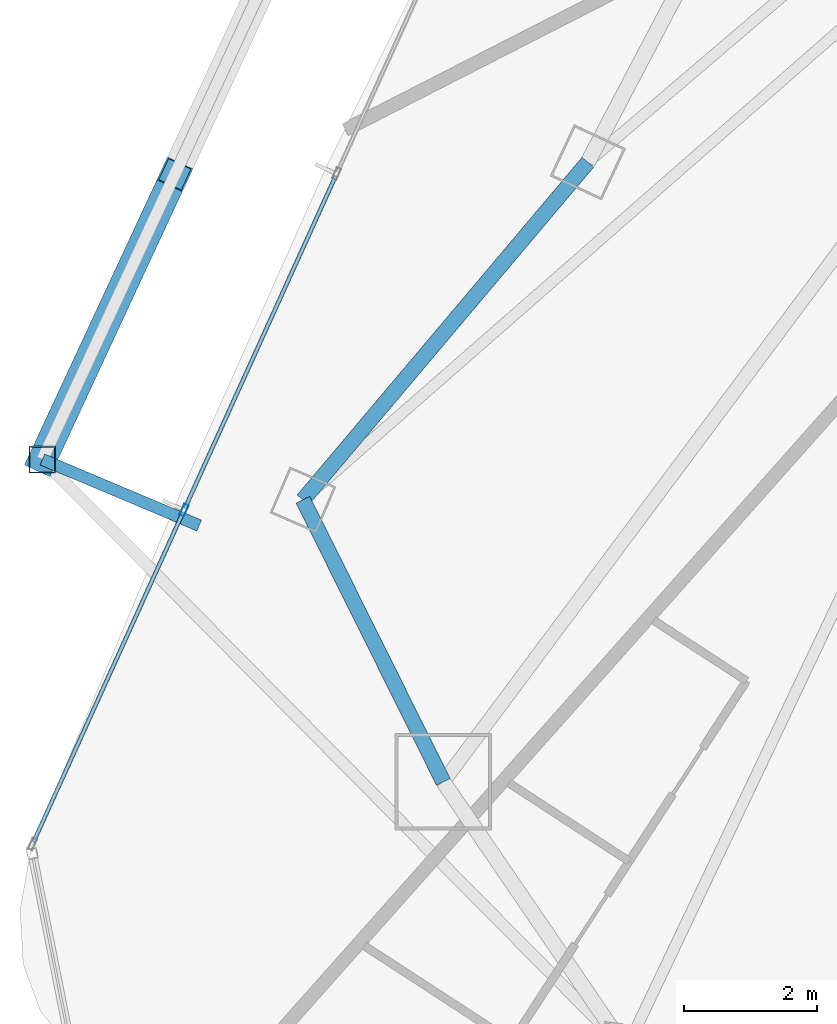
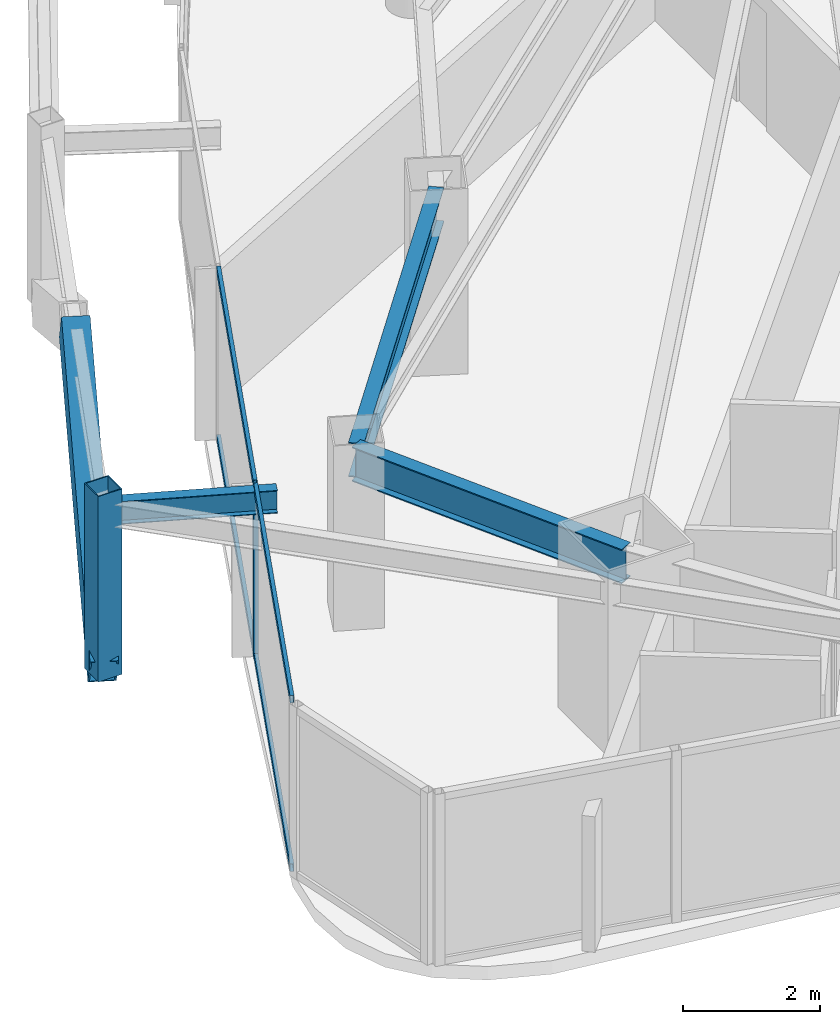
# One storey, part 5 of 31: 7 members, 3 beams, 1 element without a shape of its own.
"""IFC4 building model written with IfcOpenShell, lengths in metres."""

from ifc_helpers import new_model, si_unit, direction, frame, origin, origin_2d, place, context, subcontext, project, spatial, hollow_rectangle, i_section, extrude, material, layer, layer_set, material_profile, profile_set, type_object, element, aggregate, save


model = new_model("IFC4")

# Units and contexts
model_context = context("Model", 3, precision=1e-05, world=origin(), true_north=direction((0.0, 1.0)))
body_context = subcontext(model_context, "Body", "Model", "MODEL_VIEW")
ifc_project = project(units=[si_unit("LENGTHUNIT", "METRE"), si_unit("AREAUNIT", "SQUARE_METRE"), si_unit("VOLUMEUNIT", "CUBIC_METRE"), si_unit("PLANEANGLEUNIT", "RADIAN"), si_unit("MASSUNIT", "GRAM", prefix="KILO")], contexts=[model_context])

# Site, building, storey
site_placement = place(None, origin())
site = spatial("IfcSite", under=ifc_project, at=site_placement, CompositionType="ELEMENT")
building_placement = place(site_placement, origin())
building = spatial("IfcBuilding", under=site, at=building_placement, Name="Orvanel Arch Residences", CompositionType="ELEMENT")
storey_placement = place(building_placement, frame((0.0, 0.0, 150.64990234375)))
storey = spatial("IfcBuildingStorey", under=building, at=storey_placement, Name="L42", CompositionType="ELEMENT", Elevation=150.64990234375)

# Member
ifc_material_1 = material(Name="Structural steel AS/NZS 3678 Grade 350", Category="steel")
ifc_material_profile_1 = material_profile(ifc_material_1, hollow_rectangle(XDim=0.419921875, YDim=0.719970703125, WallThickness=0.02490234375, at=origin_2d()), Name="RHS720x420x25")
ifc_profile_set_1 = profile_set([ifc_material_profile_1], Name="Structural steel AS/NZS 3678 Grade 350")
member_type_1 = type_object("IfcMemberType", Name="BR-720RHS-EXT", PredefinedType="BRACE", material=ifc_profile_set_1)
member_1_placement = place(storey_placement, frame((8.18701171875, 15.18505859375, 0.0), z_axis=(0.36037135283, 0.775646315134, 0.518174952963), x_axis=(-0.906897357247, 0.421351614947, 0.0)))
element("IfcMember", 1, at=member_1_placement, inside=storey, type_object=member_type_1, Name="L42 Exterior Sky-Garden V-Frame Chevron F1B3.2", PredefinedType="BRACE", context=body_context, shape_type="SweptSolid", body=[
    extrude(hollow_rectangle(XDim=0.419921875, YDim=0.719970703125, WallThickness=0.02490234375, at=origin_2d()), origin(), (0.0, 0.0, 1.0), 5.513916015625),
])

# Curtain wall, member
ifc_material_2 = material(Name="Bronze-anodised aluminium AA6063-T6", Category="aluminium")
ifc_layer = layer(ifc_material_2, 0.179931640625)
ifc_layer_set = layer_set([ifc_layer], Name="Bronze-anodised aluminium AA6063-T6")
curtain_wall_type = type_object("IfcCurtainWallType", Name="CW3-MID-SYS", PredefinedType="NOTDEFINED", material=ifc_layer_set)
curtain_wall_placement = place(storey_placement, origin())
curtain_wall = element("IfcCurtainWall", 2, at=curtain_wall_placement, inside=storey, type_object=curtain_wall_type, Name="L42 CW3-MID-SYS Unitised Curtain Wall", PredefinedType="NOTDEFINED")
ifc_material_profile_2 = material_profile(ifc_material_2, hollow_rectangle(XDim=0.070068359375, YDim=0.179931640625, WallThickness=0.00439453125, at=origin_2d()), Name="ALU180x70x4.5")
ifc_profile_set_2 = profile_set([ifc_material_profile_2], Name="Bronze-anodised aluminium AA6063-T6")
member_type_2 = type_object("IfcMemberType", Name="MUL-180x70", PredefinedType="MULLION", material=ifc_profile_set_2)
member_2_placement = place(storey_placement, frame((10.311767578125, 14.427001953125, 0.0), z_axis=(0.0, 0.0, 1.0), x_axis=(0.910648730279, -0.413181425091, 0.0)))
member_2 = element("IfcMember", 3, at=member_2_placement, type_object=member_type_2, Name="CW-S3 mullion 3", PredefinedType="MULLION", context=body_context, shape_type="SweptSolid", body=[
    extrude(hollow_rectangle(XDim=0.070068359375, YDim=0.179931640625, WallThickness=0.00439453125, at=origin_2d()), origin(), (0.0, 0.0, 1.0), 3.06005859375),
])

# Beams
ifc_material_3 = material(Name="Structural steel AS/NZS 3679.1 Grade 300 (300 MPa)", Category="steel")
ifc_material_profile_3 = material_profile(ifc_material_3, i_section(OverallWidth=0.177978515625, OverallDepth=0.406005859375, WebThickness=0.0078125, FlangeThickness=0.0126953125, at=origin_2d()), Name="410UB59.7")
ifc_profile_set_3 = profile_set([ifc_material_profile_3], Name="Structural steel AS/NZS 3679.1 Grade 300 (300 MPa)")
beam_type_1 = type_object("IfcBeamType", Name="OB-410UB-EXT", PredefinedType="SPANDREL", material=ifc_profile_set_3)
beam_1_placement = place(storey_placement, frame((10.537109375, 14.195068359375, 2.857177734375), z_axis=(-0.921568683215, 0.388215355333, 0.0), x_axis=(-0.388215355333, -0.921568683215, 0.0)))
element("IfcBeam", 4, at=beam_1_placement, inside=storey, type_object=beam_type_1, Name="L42 Outer Frame Radial Tie Beam 04", PredefinedType="SPANDREL", context=body_context, shape_type="SweptSolid", body=[
    extrude(i_section(OverallWidth=0.177978515625, OverallDepth=0.406005859375, WebThickness=0.0078125, FlangeThickness=0.0126953125, at=origin_2d()), origin(), (0.0, 0.0, 1.0), 2.550048828125),
])
ifc_material_profile_4 = material_profile(ifc_material_3, i_section(OverallWidth=0.22900390625, OverallDepth=0.612060546875, WebThickness=0.011962890625, FlangeThickness=0.01953125, at=origin_2d()), Name="610UB125")
ifc_profile_set_4 = profile_set([ifc_material_profile_4], Name="Structural steel AS/NZS 3679.1 Grade 300 (300 MPa)")
beam_type_2 = type_object("IfcBeamType", Name="SP-610UB", PredefinedType="SPANDREL", material=ifc_profile_set_4)
beam_2_placement = place(storey_placement, frame((16.366943359375, 19.64208984375, 2.754150390625), z_axis=(-0.644950329775, -0.764224490659, 0.0), x_axis=(0.764224490659, -0.644950329775, 0.0)))
element("IfcBeam", 5, at=beam_2_placement, inside=storey, type_object=beam_type_2, Name="L42 Perimeter Spandrel Beam 01", PredefinedType="SPANDREL", context=body_context, shape_type="SweptSolid", body=[
    extrude(i_section(OverallWidth=0.22900390625, OverallDepth=0.612060546875, WebThickness=0.011962890625, FlangeThickness=0.01953125, at=origin_2d()), origin(), (0.0, 0.0, 1.0), 6.623779296875),
])
beam_3_placement = place(storey_placement, frame((12.094970703125, 14.580078125, 2.754150390625), z_axis=(0.44543469453, -0.895314432425, 0.0), x_axis=(0.895314432425, 0.44543469453, 0.0)))
element("IfcBeam", 6, at=beam_3_placement, inside=storey, type_object=beam_type_2, Name="L42 Perimeter Spandrel Beam 02", PredefinedType="SPANDREL", context=body_context, shape_type="SweptSolid", body=[
    extrude(i_section(OverallWidth=0.22900390625, OverallDepth=0.612060546875, WebThickness=0.011962890625, FlangeThickness=0.01953125, at=origin_2d()), origin(), (0.0, 0.0, 1.0), 4.723388671875),
])

# Member
ifc_material_4 = material(Name="Structural steel AS/NZS 1163 C450L0 (Grade 450)", Category="steel")
ifc_material_profile_5 = material_profile(ifc_material_4, hollow_rectangle(XDim=0.39990234375, YDim=0.39990234375, WallThickness=0.01611328125, at=origin_2d()), Name="SHS400x400x16")
ifc_profile_set_5 = profile_set([ifc_material_profile_5], Name="Structural steel AS/NZS 1163 C450L0 (Grade 450)")
member_type_3 = type_object("IfcMemberType", Name="ST-400SHS-EXT", PredefinedType="STRUT", material=ifc_profile_set_5)
member_3_placement = place(storey_placement, frame((8.18701171875, 15.18505859375, 0.0), z_axis=(0.0, 0.0, 1.0), x_axis=(1.0, 0.0, 0.0)))
element("IfcMember", 7, at=member_3_placement, inside=storey, type_object=member_type_3, Name="L42 Outer Perimeter Frame Post 04", PredefinedType="STRUT", context=body_context, shape_type="SweptSolid", body=[
    extrude(hollow_rectangle(XDim=0.39990234375, YDim=0.39990234375, WallThickness=0.01611328125, at=origin_2d()), origin(), (0.0, 0.0, 1.0), 3.300048828125),
])

ifc_material_profile_6 = material_profile(ifc_material_2, hollow_rectangle(XDim=0.06005859375, YDim=0.135009765625, WallThickness=0.00390625, at=origin_2d()), Name="ALU135x60x4")
ifc_profile_set_6 = profile_set([ifc_material_profile_6], Name="Bronze-anodised aluminium AA6063-T6")
member_type_4 = type_object("IfcMemberType", Name="TRN-135x60", PredefinedType="USERDEFINED", material=ifc_profile_set_6)
member_4_placement = place(storey_placement, frame((12.5849609375, 19.43701171875, 0.030029296875), z_axis=(-0.413203907421, -0.910638529216, 0.0), x_axis=(0.910638529216, -0.413203907421, 0.0)))
member_4 = element("IfcMember", 8, at=member_4_placement, type_object=member_type_4, Name="CW-S3 transom 2.1", ObjectType="TRANSOM", PredefinedType="USERDEFINED", context=body_context, shape_type="SweptSolid", body=[
    extrude(hollow_rectangle(XDim=0.06005859375, YDim=0.135009765625, WallThickness=0.00390625, at=origin_2d()), origin(), (0.0, 0.0, 1.0), 5.466552734375),
])

member_5_placement = place(storey_placement, frame((12.5849609375, 19.43701171875, 3.030029296875), z_axis=(-0.413203907421, -0.910638529216, 0.0), x_axis=(0.910638529216, -0.413203907421, 0.0)))
member_5 = element("IfcMember", 9, at=member_5_placement, type_object=member_type_4, Name="CW-S3 transom 2.2", ObjectType="TRANSOM", PredefinedType="USERDEFINED", context=body_context, shape_type="SweptSolid", body=[
    extrude(hollow_rectangle(XDim=0.06005859375, YDim=0.135009765625, WallThickness=0.00390625, at=origin_2d()), origin(), (0.0, 0.0, 1.0), 5.466552734375),
])

member_6_placement = place(storey_placement, frame((10.297119140625, 14.39501953125, 0.030029296875), z_axis=(-0.413166175984, -0.910655648982, 0.0), x_axis=(0.910655648982, -0.413166175984, 0.0)))
member_6 = element("IfcMember", 10, at=member_6_placement, type_object=member_type_4, Name="CW-S3 transom 3.1", ObjectType="TRANSOM", PredefinedType="USERDEFINED", context=body_context, shape_type="SweptSolid", body=[
    extrude(hollow_rectangle(XDim=0.06005859375, YDim=0.135009765625, WallThickness=0.00390625, at=origin_2d()), origin(), (0.0, 0.0, 1.0), 5.431640625),
])

member_7_placement = place(storey_placement, frame((10.297119140625, 14.39501953125, 3.030029296875), z_axis=(-0.413166175984, -0.910655648982, 0.0), x_axis=(0.910655648982, -0.413166175984, 0.0)))
member_7 = element("IfcMember", 11, at=member_7_placement, type_object=member_type_4, Name="CW-S3 transom 3.2", ObjectType="TRANSOM", PredefinedType="USERDEFINED", context=body_context, shape_type="SweptSolid", body=[
    extrude(hollow_rectangle(XDim=0.06005859375, YDim=0.135009765625, WallThickness=0.00390625, at=origin_2d()), origin(), (0.0, 0.0, 1.0), 5.431640625),
])

aggregate(curtain_wall, [member_2, member_4, member_5, member_6, member_7])

save(model, "model.ifc")
